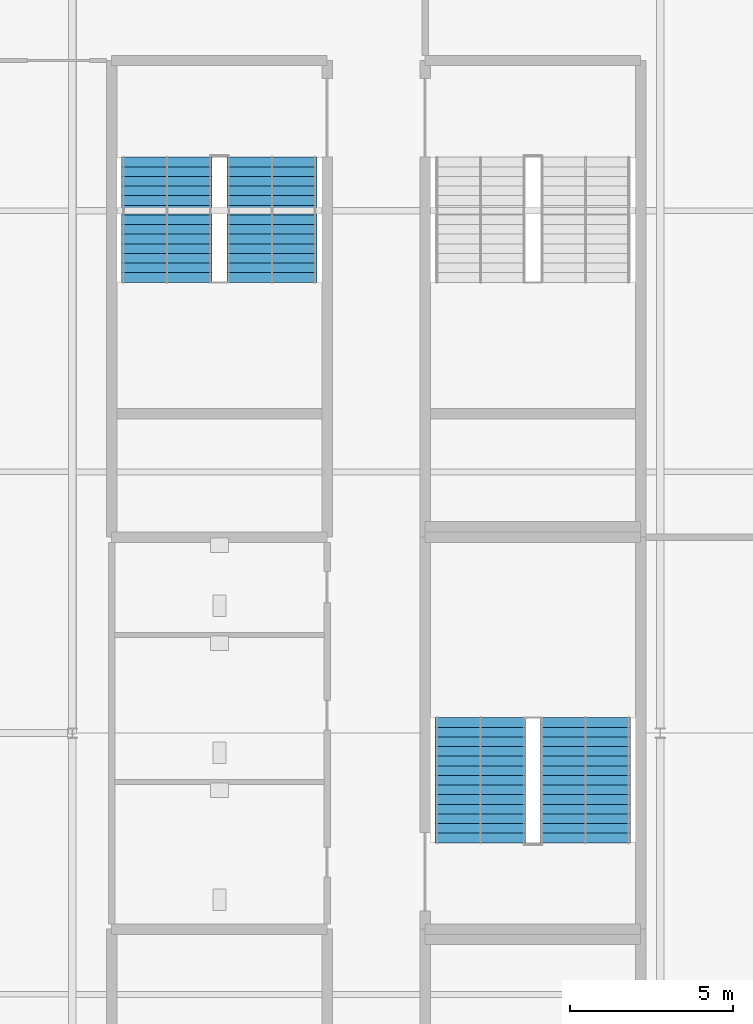
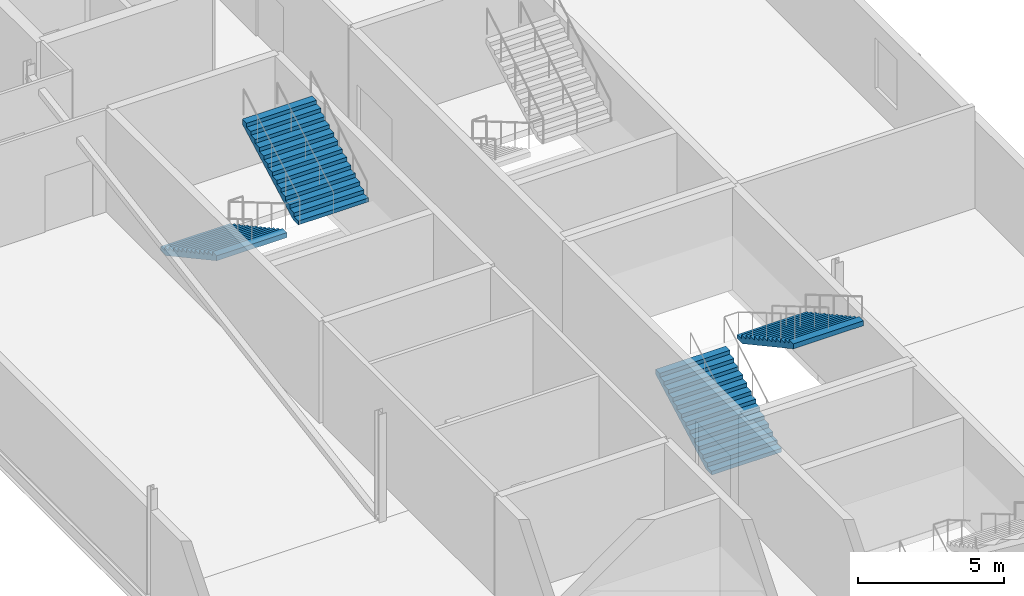
# One storey, part 19 of 28: 4 stair flights, 2 elements without a shape of their own.
"""IFC4 building model written with IfcOpenShell, lengths in metres."""

from ifc_helpers import new_model, si_unit, direction, frame, origin, place, context, subcontext, project, spatial, polygons, material, type_object, element, aggregate, save


model = new_model("IFC4")

# Units and contexts
model_context = context("Model", 3, precision=1e-05, world=origin(), true_north=direction((0.0, 1.0)))
body_context = subcontext(model_context, "Body", "Model", "MODEL_VIEW")
ifc_project = project(units=[si_unit("LENGTHUNIT", "METRE"), si_unit("AREAUNIT", "SQUARE_METRE"), si_unit("VOLUMEUNIT", "CUBIC_METRE"), si_unit("PLANEANGLEUNIT", "RADIAN"), si_unit("MASSUNIT", "GRAM", prefix="KILO")], contexts=[model_context])

# Site, building, storey
site_placement = place(None, origin())
site = spatial("IfcSite", under=ifc_project, at=site_placement, CompositionType="ELEMENT")
building_placement = place(site_placement, origin())
building = spatial("IfcBuilding", under=site, at=building_placement, Name="Kisiwana Market Hall", CompositionType="ELEMENT")
storey_placement = place(building_placement, frame((0.0, 0.0, 49.5)))
storey = spatial("IfcBuildingStorey", under=building, at=storey_placement, Name="L11", CompositionType="ELEMENT", Elevation=49.5)

# Stair, stair flights
ifc_material_1 = material(Name="Concrete C32/40", Category="concrete")
stair_type = type_object("IfcStairType", Name="ST-ESC-4500", PredefinedType="TWO_STRAIGHT_RUN_STAIR", material=ifc_material_1)
stair_1_placement = place(storey_placement, origin())
stair_1 = element("IfcStair", 1, at=stair_1_placement, inside=storey, type_object=stair_type, Name="Escape stair ST-W4-L11", PredefinedType="TWO_STRAIGHT_RUN_STAIR")
ifc_material_2 = material(Name="Concrete C32/40", Category="concrete")
stair_flight_type = type_object("IfcStairFlightType", Name="SF-ESC-4500", PredefinedType="STRAIGHT", material=ifc_material_2)
stair_flight_1_placement = place(storey_placement, frame((11.889892578125, 77.639892578125, 0.0), z_axis=(0.0, 0.0, 1.0), x_axis=(0.0, -1.0, 0.0)))
stair_flight_1 = element("IfcStairFlight", 2, at=stair_flight_1_placement, type_object=stair_flight_type, Name="ST-W4-L11 flight 1", NumberOfRisers=14, NumberOfTreads=13, PredefinedType="STRAIGHT", RiserHeight=0.160714, TreadLength=0.295, context=body_context, shape_type="Tessellation", body=[
    polygons([(0.0, -1.380127, 0.0), (0.0, -0.690125, 0.0), (0.0, -0.000122, 0.0), (0.0, 0.68988, 0.0), (0.0, 1.379883, 0.0), (0.0, -1.380127, 0.160645), (0.0, -0.690125, 0.160645), (0.0, -0.000122, 0.160645), (0.0, 0.68988, 0.160645), (0.0, 1.379883, 0.160645), (0.294922, -1.380127, 0.160645), (0.294922, -0.690125, 0.160645), (0.294922, -0.000122, 0.160645), (0.294922, 0.68988, 0.160645), (0.294922, 1.379883, 0.160645), (0.294922, -1.380127, 0.321533), (0.294922, -0.690125, 0.321533), (0.294922, -0.000122, 0.321533), (0.294922, 0.68988, 0.321533), (0.294922, 1.379883, 0.321533), (0.590088, -1.380127, 0.321533), (0.590088, -0.690125, 0.321533), (0.590088, -0.000122, 0.321533), (0.590088, 0.68988, 0.321533), (0.590088, 1.379883, 0.321533), (0.590088, -1.380127, 0.482178), (0.590088, -0.690125, 0.482178), (0.590088, -0.000122, 0.482178), (0.590088, 0.68988, 0.482178), (0.590088, 1.379883, 0.482178), (0.88501, -1.380127, 0.482178), (0.88501, -0.690125, 0.482178), (0.88501, -0.000122, 0.482178), (0.88501, 0.68988, 0.482178), (0.88501, 1.379883, 0.482178), (0.88501, -1.380127, 0.642822), (0.88501, -0.690125, 0.642822), (0.88501, -0.000122, 0.642822), (0.88501, 0.68988, 0.642822), (0.88501, 1.379883, 0.642822), (1.179932, -1.380127, 0.642822), (1.179932, -0.690125, 0.642822), (1.179932, -0.000122, 0.642822), (1.179932, 0.68988, 0.642822), (1.179932, 1.379883, 0.642822), (1.179932, -1.380127, 0.803467), (1.179932, -0.690125, 0.803467), (1.179932, -0.000122, 0.803467), (1.179932, 0.68988, 0.803467), (1.179932, 1.379883, 0.803467), (1.475098, -1.380127, 0.803467), (1.475098, -0.690125, 0.803467), (1.475098, -0.000122, 0.803467), (1.475098, 0.68988, 0.803467), (1.475098, 1.379883, 0.803467), (1.475098, -1.380127, 0.964355), (1.475098, -0.690125, 0.964355), (1.475098, -0.000122, 0.964355), (1.475098, 0.68988, 0.964355), (1.475098, 1.379883, 0.964355), (1.77002, -1.380127, 0.964355), (1.77002, -0.690125, 0.964355), (1.77002, -0.000122, 0.964355), (1.77002, 0.68988, 0.964355), (1.77002, 1.379883, 0.964355), (1.77002, -1.380127, 1.125), (1.77002, -0.690125, 1.125), (1.77002, -0.000122, 1.125), (1.77002, 0.68988, 1.125), (1.77002, 1.379883, 1.125), (2.064941, -1.380127, 1.125), (2.064941, -0.690125, 1.125), (2.064941, -0.000122, 1.125), (2.064941, 0.68988, 1.125), (2.064941, 1.379883, 1.125), (2.064941, -1.380127, 1.285645), (2.064941, -0.690125, 1.285645), (2.064941, -0.000122, 1.285645), (2.064941, 0.68988, 1.285645), (2.064941, 1.379883, 1.285645), (2.360107, -1.380127, 1.285645), (2.360107, -0.690125, 1.285645), (2.360107, -0.000122, 1.285645), (2.360107, 0.68988, 1.285645), (2.360107, 1.379883, 1.285645), (2.360107, -1.380127, 1.446533), (2.360107, -0.690125, 1.446533), (2.360107, -0.000122, 1.446533), (2.360107, 0.68988, 1.446533), (2.360107, 1.379883, 1.446533), (2.655029, -1.380127, 1.446533), (2.655029, -0.690125, 1.446533), (2.655029, -0.000122, 1.446533), (2.655029, 0.68988, 1.446533), (2.655029, 1.379883, 1.446533), (2.655029, -1.380127, 1.607178), (2.655029, -0.690125, 1.607178), (2.655029, -0.000122, 1.607178), (2.655029, 0.68988, 1.607178), (2.655029, 1.379883, 1.607178), (2.949951, -1.380127, 1.607178), (2.949951, -0.690125, 1.607178), (2.949951, -0.000122, 1.607178), (2.949951, 0.68988, 1.607178), (2.949951, 1.379883, 1.607178), (2.949951, -1.380127, 1.767822), (2.949951, -0.690125, 1.767822), (2.949951, -0.000122, 1.767822), (2.949951, 0.68988, 1.767822), (2.949951, 1.379883, 1.767822), (3.245117, -1.380127, 1.767822), (3.245117, -0.690125, 1.767822), (3.245117, -0.000122, 1.767822), (3.245117, 0.68988, 1.767822), (3.245117, 1.379883, 1.767822), (3.245117, -1.380127, 1.928467), (3.245117, -0.690125, 1.928467), (3.245117, -0.000122, 1.928467), (3.245117, 0.68988, 1.928467), (3.245117, 1.379883, 1.928467), (3.540039, -1.380127, 1.928467), (3.540039, -0.690125, 1.928467), (3.540039, -0.000122, 1.928467), (3.540039, 0.68988, 1.928467), (3.540039, 1.379883, 1.928467), (3.540039, -1.380127, 2.089355), (3.540039, -0.690125, 2.089355), (3.540039, -0.000122, 2.089355), (3.540039, 0.68988, 2.089355), (3.540039, 1.379883, 2.089355), (3.834961, -1.380127, 2.089355), (3.834961, -0.690125, 2.089355), (3.834961, -0.000122, 2.089355), (3.834961, 0.68988, 2.089355), (3.834961, 1.379883, 2.089355), (3.834961, -1.380127, 1.884277), (3.834961, -0.690125, 1.884277), (3.834961, -0.000122, 1.884277), (3.834961, 0.68988, 1.884277), (3.834961, 1.379883, 1.884277), (0.376221, -1.380127, 0.0), (0.376221, -0.690125, 0.0), (0.376221, -0.000122, 0.0), (0.376221, 0.68988, 0.0), (0.376221, 1.379883, 0.0)], [[[1, 6, 7, 2]], [[2, 7, 8, 3]], [[3, 8, 9, 4]], [[4, 9, 10, 5]], [[6, 11, 12, 7]], [[7, 12, 13, 8]], [[8, 13, 14, 9]], [[9, 14, 15, 10]], [[11, 16, 17, 12]], [[12, 17, 18, 13]], [[13, 18, 19, 14]], [[14, 19, 20, 15]], [[16, 21, 22, 17]], [[17, 22, 23, 18]], [[18, 23, 24, 19]], [[19, 24, 25, 20]], [[21, 26, 27, 22]], [[22, 27, 28, 23]], [[23, 28, 29, 24]], [[24, 29, 30, 25]], [[26, 31, 32, 27]], [[27, 32, 33, 28]], [[28, 33, 34, 29]], [[29, 34, 35, 30]], [[31, 36, 37, 32]], [[32, 37, 38, 33]], [[33, 38, 39, 34]], [[34, 39, 40, 35]], [[36, 41, 42, 37]], [[37, 42, 43, 38]], [[38, 43, 44, 39]], [[39, 44, 45, 40]], [[41, 46, 47, 42]], [[42, 47, 48, 43]], [[43, 48, 49, 44]], [[44, 49, 50, 45]], [[46, 51, 52, 47]], [[47, 52, 53, 48]], [[48, 53, 54, 49]], [[49, 54, 55, 50]], [[51, 56, 57, 52]], [[52, 57, 58, 53]], [[53, 58, 59, 54]], [[54, 59, 60, 55]], [[56, 61, 62, 57]], [[57, 62, 63, 58]], [[58, 63, 64, 59]], [[59, 64, 65, 60]], [[61, 66, 67, 62]], [[62, 67, 68, 63]], [[63, 68, 69, 64]], [[64, 69, 70, 65]], [[66, 71, 72, 67]], [[67, 72, 73, 68]], [[68, 73, 74, 69]], [[69, 74, 75, 70]], [[71, 76, 77, 72]], [[72, 77, 78, 73]], [[73, 78, 79, 74]], [[74, 79, 80, 75]], [[76, 81, 82, 77]], [[77, 82, 83, 78]], [[78, 83, 84, 79]], [[79, 84, 85, 80]], [[81, 86, 87, 82]], [[82, 87, 88, 83]], [[83, 88, 89, 84]], [[84, 89, 90, 85]], [[86, 91, 92, 87]], [[87, 92, 93, 88]], [[88, 93, 94, 89]], [[89, 94, 95, 90]], [[91, 96, 97, 92]], [[92, 97, 98, 93]], [[93, 98, 99, 94]], [[94, 99, 100, 95]], [[96, 101, 102, 97]], [[97, 102, 103, 98]], [[98, 103, 104, 99]], [[99, 104, 105, 100]], [[101, 106, 107, 102]], [[102, 107, 108, 103]], [[103, 108, 109, 104]], [[104, 109, 110, 105]], [[106, 111, 112, 107]], [[107, 112, 113, 108]], [[108, 113, 114, 109]], [[109, 114, 115, 110]], [[111, 116, 117, 112]], [[112, 117, 118, 113]], [[113, 118, 119, 114]], [[114, 119, 120, 115]], [[116, 121, 122, 117]], [[117, 122, 123, 118]], [[118, 123, 124, 119]], [[119, 124, 125, 120]], [[121, 126, 127, 122]], [[122, 127, 128, 123]], [[123, 128, 129, 124]], [[124, 129, 130, 125]], [[126, 131, 132, 127]], [[127, 132, 133, 128]], [[128, 133, 134, 129]], [[129, 134, 135, 130]], [[131, 136, 137, 132]], [[132, 137, 138, 133]], [[133, 138, 139, 134]], [[134, 139, 140, 135]], [[136, 141, 142, 137]], [[137, 142, 143, 138]], [[138, 143, 144, 139]], [[139, 144, 145, 140]], [[141, 1, 2, 142]], [[142, 2, 3, 143]], [[143, 3, 4, 144]], [[144, 4, 5, 145]], [[141, 136, 131, 126, 121, 116, 111, 106, 101, 96, 91, 86, 81, 76, 71, 66, 61, 56, 51, 46, 41, 36, 31, 26, 21, 16, 11, 6, 1]], [[5, 10, 15, 20, 25, 30, 35, 40, 45, 50, 55, 60, 65, 70, 75, 80, 85, 90, 95, 100, 105, 110, 115, 120, 125, 130, 135, 140, 145]]], closed=True),
])
stair_flight_2_placement = place(storey_placement, frame((15.110107421875, 73.804931640625, 2.25), z_axis=(0.0, 0.0, 1.0), x_axis=(0.0, 1.0, 0.0)))
stair_flight_2 = element("IfcStairFlight", 3, at=stair_flight_2_placement, type_object=stair_flight_type, Name="ST-W4-L11 flight 2", NumberOfRisers=14, NumberOfTreads=13, PredefinedType="STRAIGHT", RiserHeight=0.160714, TreadLength=0.295, context=body_context, shape_type="Tessellation", body=[
    polygons([(0.0, -1.380127, 0.0), (0.0, -0.690125, 0.0), (0.0, -0.000122, 0.0), (0.0, 0.68988, 0.0), (0.0, 1.379883, 0.0), (0.0, -1.380127, 0.160645), (0.0, -0.690125, 0.160645), (0.0, -0.000122, 0.160645), (0.0, 0.68988, 0.160645), (0.0, 1.379883, 0.160645), (0.294922, -1.380127, 0.160645), (0.294922, -0.690125, 0.160645), (0.294922, -0.000122, 0.160645), (0.294922, 0.68988, 0.160645), (0.294922, 1.379883, 0.160645), (0.294922, -1.380127, 0.321533), (0.294922, -0.690125, 0.321533), (0.294922, -0.000122, 0.321533), (0.294922, 0.68988, 0.321533), (0.294922, 1.379883, 0.321533), (0.590088, -1.380127, 0.321533), (0.590088, -0.690125, 0.321533), (0.590088, -0.000122, 0.321533), (0.590088, 0.68988, 0.321533), (0.590088, 1.379883, 0.321533), (0.590088, -1.380127, 0.482178), (0.590088, -0.690125, 0.482178), (0.590088, -0.000122, 0.482178), (0.590088, 0.68988, 0.482178), (0.590088, 1.379883, 0.482178), (0.88501, -1.380127, 0.482178), (0.88501, -0.690125, 0.482178), (0.88501, -0.000122, 0.482178), (0.88501, 0.68988, 0.482178), (0.88501, 1.379883, 0.482178), (0.88501, -1.380127, 0.642822), (0.88501, -0.690125, 0.642822), (0.88501, -0.000122, 0.642822), (0.88501, 0.68988, 0.642822), (0.88501, 1.379883, 0.642822), (1.179932, -1.380127, 0.642822), (1.179932, -0.690125, 0.642822), (1.179932, -0.000122, 0.642822), (1.179932, 0.68988, 0.642822), (1.179932, 1.379883, 0.642822), (1.179932, -1.380127, 0.803467), (1.179932, -0.690125, 0.803467), (1.179932, -0.000122, 0.803467), (1.179932, 0.68988, 0.803467), (1.179932, 1.379883, 0.803467), (1.475098, -1.380127, 0.803467), (1.475098, -0.690125, 0.803467), (1.475098, -0.000122, 0.803467), (1.475098, 0.68988, 0.803467), (1.475098, 1.379883, 0.803467), (1.475098, -1.380127, 0.964355), (1.475098, -0.690125, 0.964355), (1.475098, -0.000122, 0.964355), (1.475098, 0.68988, 0.964355), (1.475098, 1.379883, 0.964355), (1.77002, -1.380127, 0.964355), (1.77002, -0.690125, 0.964355), (1.77002, -0.000122, 0.964355), (1.77002, 0.68988, 0.964355), (1.77002, 1.379883, 0.964355), (1.77002, -1.380127, 1.125), (1.77002, -0.690125, 1.125), (1.77002, -0.000122, 1.125), (1.77002, 0.68988, 1.125), (1.77002, 1.379883, 1.125), (2.064941, -1.380127, 1.125), (2.064941, -0.690125, 1.125), (2.064941, -0.000122, 1.125), (2.064941, 0.68988, 1.125), (2.064941, 1.379883, 1.125), (2.064941, -1.380127, 1.285645), (2.064941, -0.690125, 1.285645), (2.064941, -0.000122, 1.285645), (2.064941, 0.68988, 1.285645), (2.064941, 1.379883, 1.285645), (2.360107, -1.380127, 1.285645), (2.360107, -0.690125, 1.285645), (2.360107, -0.000122, 1.285645), (2.360107, 0.68988, 1.285645), (2.360107, 1.379883, 1.285645), (2.360107, -1.380127, 1.446533), (2.360107, -0.690125, 1.446533), (2.360107, -0.000122, 1.446533), (2.360107, 0.68988, 1.446533), (2.360107, 1.379883, 1.446533), (2.655029, -1.380127, 1.446533), (2.655029, -0.690125, 1.446533), (2.655029, -0.000122, 1.446533), (2.655029, 0.68988, 1.446533), (2.655029, 1.379883, 1.446533), (2.655029, -1.380127, 1.607178), (2.655029, -0.690125, 1.607178), (2.655029, -0.000122, 1.607178), (2.655029, 0.68988, 1.607178), (2.655029, 1.379883, 1.607178), (2.949951, -1.380127, 1.607178), (2.949951, -0.690125, 1.607178), (2.949951, -0.000122, 1.607178), (2.949951, 0.68988, 1.607178), (2.949951, 1.379883, 1.607178), (2.949951, -1.380127, 1.767822), (2.949951, -0.690125, 1.767822), (2.949951, -0.000122, 1.767822), (2.949951, 0.68988, 1.767822), (2.949951, 1.379883, 1.767822), (3.245117, -1.380127, 1.767822), (3.245117, -0.690125, 1.767822), (3.245117, -0.000122, 1.767822), (3.245117, 0.68988, 1.767822), (3.245117, 1.379883, 1.767822), (3.245117, -1.380127, 1.928467), (3.245117, -0.690125, 1.928467), (3.245117, -0.000122, 1.928467), (3.245117, 0.68988, 1.928467), (3.245117, 1.379883, 1.928467), (3.540039, -1.380127, 1.928467), (3.540039, -0.690125, 1.928467), (3.540039, -0.000122, 1.928467), (3.540039, 0.68988, 1.928467), (3.540039, 1.379883, 1.928467), (3.540039, -1.380127, 2.089355), (3.540039, -0.690125, 2.089355), (3.540039, -0.000122, 2.089355), (3.540039, 0.68988, 2.089355), (3.540039, 1.379883, 2.089355), (3.834961, -1.380127, 2.089355), (3.834961, -0.690125, 2.089355), (3.834961, -0.000122, 2.089355), (3.834961, 0.68988, 2.089355), (3.834961, 1.379883, 2.089355), (3.834961, -1.380127, 1.884277), (3.834961, -0.690125, 1.884277), (3.834961, -0.000122, 1.884277), (3.834961, 0.68988, 1.884277), (3.834961, 1.379883, 1.884277), (0.376221, -1.380127, 0.0), (0.376221, -0.690125, 0.0), (0.376221, -0.000122, 0.0), (0.376221, 0.68988, 0.0), (0.376221, 1.379883, 0.0)], [[[1, 6, 7, 2]], [[2, 7, 8, 3]], [[3, 8, 9, 4]], [[4, 9, 10, 5]], [[6, 11, 12, 7]], [[7, 12, 13, 8]], [[8, 13, 14, 9]], [[9, 14, 15, 10]], [[11, 16, 17, 12]], [[12, 17, 18, 13]], [[13, 18, 19, 14]], [[14, 19, 20, 15]], [[16, 21, 22, 17]], [[17, 22, 23, 18]], [[18, 23, 24, 19]], [[19, 24, 25, 20]], [[21, 26, 27, 22]], [[22, 27, 28, 23]], [[23, 28, 29, 24]], [[24, 29, 30, 25]], [[26, 31, 32, 27]], [[27, 32, 33, 28]], [[28, 33, 34, 29]], [[29, 34, 35, 30]], [[31, 36, 37, 32]], [[32, 37, 38, 33]], [[33, 38, 39, 34]], [[34, 39, 40, 35]], [[36, 41, 42, 37]], [[37, 42, 43, 38]], [[38, 43, 44, 39]], [[39, 44, 45, 40]], [[41, 46, 47, 42]], [[42, 47, 48, 43]], [[43, 48, 49, 44]], [[44, 49, 50, 45]], [[46, 51, 52, 47]], [[47, 52, 53, 48]], [[48, 53, 54, 49]], [[49, 54, 55, 50]], [[51, 56, 57, 52]], [[52, 57, 58, 53]], [[53, 58, 59, 54]], [[54, 59, 60, 55]], [[56, 61, 62, 57]], [[57, 62, 63, 58]], [[58, 63, 64, 59]], [[59, 64, 65, 60]], [[61, 66, 67, 62]], [[62, 67, 68, 63]], [[63, 68, 69, 64]], [[64, 69, 70, 65]], [[66, 71, 72, 67]], [[67, 72, 73, 68]], [[68, 73, 74, 69]], [[69, 74, 75, 70]], [[71, 76, 77, 72]], [[72, 77, 78, 73]], [[73, 78, 79, 74]], [[74, 79, 80, 75]], [[76, 81, 82, 77]], [[77, 82, 83, 78]], [[78, 83, 84, 79]], [[79, 84, 85, 80]], [[81, 86, 87, 82]], [[82, 87, 88, 83]], [[83, 88, 89, 84]], [[84, 89, 90, 85]], [[86, 91, 92, 87]], [[87, 92, 93, 88]], [[88, 93, 94, 89]], [[89, 94, 95, 90]], [[91, 96, 97, 92]], [[92, 97, 98, 93]], [[93, 98, 99, 94]], [[94, 99, 100, 95]], [[96, 101, 102, 97]], [[97, 102, 103, 98]], [[98, 103, 104, 99]], [[99, 104, 105, 100]], [[101, 106, 107, 102]], [[102, 107, 108, 103]], [[103, 108, 109, 104]], [[104, 109, 110, 105]], [[106, 111, 112, 107]], [[107, 112, 113, 108]], [[108, 113, 114, 109]], [[109, 114, 115, 110]], [[111, 116, 117, 112]], [[112, 117, 118, 113]], [[113, 118, 119, 114]], [[114, 119, 120, 115]], [[116, 121, 122, 117]], [[117, 122, 123, 118]], [[118, 123, 124, 119]], [[119, 124, 125, 120]], [[121, 126, 127, 122]], [[122, 127, 128, 123]], [[123, 128, 129, 124]], [[124, 129, 130, 125]], [[126, 131, 132, 127]], [[127, 132, 133, 128]], [[128, 133, 134, 129]], [[129, 134, 135, 130]], [[131, 136, 137, 132]], [[132, 137, 138, 133]], [[133, 138, 139, 134]], [[134, 139, 140, 135]], [[136, 141, 142, 137]], [[137, 142, 143, 138]], [[138, 143, 144, 139]], [[139, 144, 145, 140]], [[141, 1, 2, 142]], [[142, 2, 3, 143]], [[143, 3, 4, 144]], [[144, 4, 5, 145]], [[141, 136, 131, 126, 121, 116, 111, 106, 101, 96, 91, 86, 81, 76, 71, 66, 61, 56, 51, 46, 41, 36, 31, 26, 21, 16, 11, 6, 1]], [[5, 10, 15, 20, 25, 30, 35, 40, 45, 50, 55, 60, 65, 70, 75, 80, 85, 90, 95, 100, 105, 110, 115, 120, 125, 130, 135, 140, 145]]], closed=True),
])
aggregate(stair_1, [stair_flight_1, stair_flight_2])

stair_2_placement = place(storey_placement, origin())
stair_2 = element("IfcStair", 4, at=stair_2_placement, inside=storey, type_object=stair_type, Name="Escape stair ST-W5-L11", PredefinedType="TWO_STRAIGHT_RUN_STAIR")
stair_flight_3_placement = place(storey_placement, frame((21.489990234375, 56.639892578125, 0.0), z_axis=(0.0, 0.0, 1.0), x_axis=(0.0, 1.0, 0.0)))
stair_flight_3 = element("IfcStairFlight", 5, at=stair_flight_3_placement, type_object=stair_flight_type, Name="ST-W5-L11 flight 1", NumberOfRisers=14, NumberOfTreads=13, PredefinedType="STRAIGHT", RiserHeight=0.160714, TreadLength=0.295, context=body_context, shape_type="Tessellation", body=[
    polygons([(0.0, -1.380127, 0.0), (0.0, -0.690125, 0.0), (0.0, -0.000122, 0.0), (0.0, 0.68988, 0.0), (0.0, 1.379883, 0.0), (0.0, -1.380127, 0.160645), (0.0, -0.690125, 0.160645), (0.0, -0.000122, 0.160645), (0.0, 0.68988, 0.160645), (0.0, 1.379883, 0.160645), (0.294922, -1.380127, 0.160645), (0.294922, -0.690125, 0.160645), (0.294922, -0.000122, 0.160645), (0.294922, 0.68988, 0.160645), (0.294922, 1.379883, 0.160645), (0.294922, -1.380127, 0.321533), (0.294922, -0.690125, 0.321533), (0.294922, -0.000122, 0.321533), (0.294922, 0.68988, 0.321533), (0.294922, 1.379883, 0.321533), (0.590088, -1.380127, 0.321533), (0.590088, -0.690125, 0.321533), (0.590088, -0.000122, 0.321533), (0.590088, 0.68988, 0.321533), (0.590088, 1.379883, 0.321533), (0.590088, -1.380127, 0.482178), (0.590088, -0.690125, 0.482178), (0.590088, -0.000122, 0.482178), (0.590088, 0.68988, 0.482178), (0.590088, 1.379883, 0.482178), (0.88501, -1.380127, 0.482178), (0.88501, -0.690125, 0.482178), (0.88501, -0.000122, 0.482178), (0.88501, 0.68988, 0.482178), (0.88501, 1.379883, 0.482178), (0.88501, -1.380127, 0.642822), (0.88501, -0.690125, 0.642822), (0.88501, -0.000122, 0.642822), (0.88501, 0.68988, 0.642822), (0.88501, 1.379883, 0.642822), (1.179932, -1.380127, 0.642822), (1.179932, -0.690125, 0.642822), (1.179932, -0.000122, 0.642822), (1.179932, 0.68988, 0.642822), (1.179932, 1.379883, 0.642822), (1.179932, -1.380127, 0.803467), (1.179932, -0.690125, 0.803467), (1.179932, -0.000122, 0.803467), (1.179932, 0.68988, 0.803467), (1.179932, 1.379883, 0.803467), (1.475098, -1.380127, 0.803467), (1.475098, -0.690125, 0.803467), (1.475098, -0.000122, 0.803467), (1.475098, 0.68988, 0.803467), (1.475098, 1.379883, 0.803467), (1.475098, -1.380127, 0.964355), (1.475098, -0.690125, 0.964355), (1.475098, -0.000122, 0.964355), (1.475098, 0.68988, 0.964355), (1.475098, 1.379883, 0.964355), (1.77002, -1.380127, 0.964355), (1.77002, -0.690125, 0.964355), (1.77002, -0.000122, 0.964355), (1.77002, 0.68988, 0.964355), (1.77002, 1.379883, 0.964355), (1.77002, -1.380127, 1.125), (1.77002, -0.690125, 1.125), (1.77002, -0.000122, 1.125), (1.77002, 0.68988, 1.125), (1.77002, 1.379883, 1.125), (2.064941, -1.380127, 1.125), (2.064941, -0.690125, 1.125), (2.064941, -0.000122, 1.125), (2.064941, 0.68988, 1.125), (2.064941, 1.379883, 1.125), (2.064941, -1.380127, 1.285645), (2.064941, -0.690125, 1.285645), (2.064941, -0.000122, 1.285645), (2.064941, 0.68988, 1.285645), (2.064941, 1.379883, 1.285645), (2.360107, -1.380127, 1.285645), (2.360107, -0.690125, 1.285645), (2.360107, -0.000122, 1.285645), (2.360107, 0.68988, 1.285645), (2.360107, 1.379883, 1.285645), (2.360107, -1.380127, 1.446533), (2.360107, -0.690125, 1.446533), (2.360107, -0.000122, 1.446533), (2.360107, 0.68988, 1.446533), (2.360107, 1.379883, 1.446533), (2.655029, -1.380127, 1.446533), (2.655029, -0.690125, 1.446533), (2.655029, -0.000122, 1.446533), (2.655029, 0.68988, 1.446533), (2.655029, 1.379883, 1.446533), (2.655029, -1.380127, 1.607178), (2.655029, -0.690125, 1.607178), (2.655029, -0.000122, 1.607178), (2.655029, 0.68988, 1.607178), (2.655029, 1.379883, 1.607178), (2.949951, -1.380127, 1.607178), (2.949951, -0.690125, 1.607178), (2.949951, -0.000122, 1.607178), (2.949951, 0.68988, 1.607178), (2.949951, 1.379883, 1.607178), (2.949951, -1.380127, 1.767822), (2.949951, -0.690125, 1.767822), (2.949951, -0.000122, 1.767822), (2.949951, 0.68988, 1.767822), (2.949951, 1.379883, 1.767822), (3.245117, -1.380127, 1.767822), (3.245117, -0.690125, 1.767822), (3.245117, -0.000122, 1.767822), (3.245117, 0.68988, 1.767822), (3.245117, 1.379883, 1.767822), (3.245117, -1.380127, 1.928467), (3.245117, -0.690125, 1.928467), (3.245117, -0.000122, 1.928467), (3.245117, 0.68988, 1.928467), (3.245117, 1.379883, 1.928467), (3.540039, -1.380127, 1.928467), (3.540039, -0.690125, 1.928467), (3.540039, -0.000122, 1.928467), (3.540039, 0.68988, 1.928467), (3.540039, 1.379883, 1.928467), (3.540039, -1.380127, 2.089355), (3.540039, -0.690125, 2.089355), (3.540039, -0.000122, 2.089355), (3.540039, 0.68988, 2.089355), (3.540039, 1.379883, 2.089355), (3.834961, -1.380127, 2.089355), (3.834961, -0.690125, 2.089355), (3.834961, -0.000122, 2.089355), (3.834961, 0.68988, 2.089355), (3.834961, 1.379883, 2.089355), (3.834961, -1.380127, 1.884277), (3.834961, -0.690125, 1.884277), (3.834961, -0.000122, 1.884277), (3.834961, 0.68988, 1.884277), (3.834961, 1.379883, 1.884277), (0.376221, -1.380127, 0.0), (0.376221, -0.690125, 0.0), (0.376221, -0.000122, 0.0), (0.376221, 0.68988, 0.0), (0.376221, 1.379883, 0.0)], [[[1, 6, 7, 2]], [[2, 7, 8, 3]], [[3, 8, 9, 4]], [[4, 9, 10, 5]], [[6, 11, 12, 7]], [[7, 12, 13, 8]], [[8, 13, 14, 9]], [[9, 14, 15, 10]], [[11, 16, 17, 12]], [[12, 17, 18, 13]], [[13, 18, 19, 14]], [[14, 19, 20, 15]], [[16, 21, 22, 17]], [[17, 22, 23, 18]], [[18, 23, 24, 19]], [[19, 24, 25, 20]], [[21, 26, 27, 22]], [[22, 27, 28, 23]], [[23, 28, 29, 24]], [[24, 29, 30, 25]], [[26, 31, 32, 27]], [[27, 32, 33, 28]], [[28, 33, 34, 29]], [[29, 34, 35, 30]], [[31, 36, 37, 32]], [[32, 37, 38, 33]], [[33, 38, 39, 34]], [[34, 39, 40, 35]], [[36, 41, 42, 37]], [[37, 42, 43, 38]], [[38, 43, 44, 39]], [[39, 44, 45, 40]], [[41, 46, 47, 42]], [[42, 47, 48, 43]], [[43, 48, 49, 44]], [[44, 49, 50, 45]], [[46, 51, 52, 47]], [[47, 52, 53, 48]], [[48, 53, 54, 49]], [[49, 54, 55, 50]], [[51, 56, 57, 52]], [[52, 57, 58, 53]], [[53, 58, 59, 54]], [[54, 59, 60, 55]], [[56, 61, 62, 57]], [[57, 62, 63, 58]], [[58, 63, 64, 59]], [[59, 64, 65, 60]], [[61, 66, 67, 62]], [[62, 67, 68, 63]], [[63, 68, 69, 64]], [[64, 69, 70, 65]], [[66, 71, 72, 67]], [[67, 72, 73, 68]], [[68, 73, 74, 69]], [[69, 74, 75, 70]], [[71, 76, 77, 72]], [[72, 77, 78, 73]], [[73, 78, 79, 74]], [[74, 79, 80, 75]], [[76, 81, 82, 77]], [[77, 82, 83, 78]], [[78, 83, 84, 79]], [[79, 84, 85, 80]], [[81, 86, 87, 82]], [[82, 87, 88, 83]], [[83, 88, 89, 84]], [[84, 89, 90, 85]], [[86, 91, 92, 87]], [[87, 92, 93, 88]], [[88, 93, 94, 89]], [[89, 94, 95, 90]], [[91, 96, 97, 92]], [[92, 97, 98, 93]], [[93, 98, 99, 94]], [[94, 99, 100, 95]], [[96, 101, 102, 97]], [[97, 102, 103, 98]], [[98, 103, 104, 99]], [[99, 104, 105, 100]], [[101, 106, 107, 102]], [[102, 107, 108, 103]], [[103, 108, 109, 104]], [[104, 109, 110, 105]], [[106, 111, 112, 107]], [[107, 112, 113, 108]], [[108, 113, 114, 109]], [[109, 114, 115, 110]], [[111, 116, 117, 112]], [[112, 117, 118, 113]], [[113, 118, 119, 114]], [[114, 119, 120, 115]], [[116, 121, 122, 117]], [[117, 122, 123, 118]], [[118, 123, 124, 119]], [[119, 124, 125, 120]], [[121, 126, 127, 122]], [[122, 127, 128, 123]], [[123, 128, 129, 124]], [[124, 129, 130, 125]], [[126, 131, 132, 127]], [[127, 132, 133, 128]], [[128, 133, 134, 129]], [[129, 134, 135, 130]], [[131, 136, 137, 132]], [[132, 137, 138, 133]], [[133, 138, 139, 134]], [[134, 139, 140, 135]], [[136, 141, 142, 137]], [[137, 142, 143, 138]], [[138, 143, 144, 139]], [[139, 144, 145, 140]], [[141, 1, 2, 142]], [[142, 2, 3, 143]], [[143, 3, 4, 144]], [[144, 4, 5, 145]], [[141, 136, 131, 126, 121, 116, 111, 106, 101, 96, 91, 86, 81, 76, 71, 66, 61, 56, 51, 46, 41, 36, 31, 26, 21, 16, 11, 6, 1]], [[5, 10, 15, 20, 25, 30, 35, 40, 45, 50, 55, 60, 65, 70, 75, 80, 85, 90, 95, 100, 105, 110, 115, 120, 125, 130, 135, 140, 145]]], closed=True),
])
stair_flight_4_placement = place(storey_placement, frame((24.7099609375, 60.47509765625, 2.25), z_axis=(0.0, 0.0, 1.0), x_axis=(0.0, -1.0, 0.0)))
stair_flight_4 = element("IfcStairFlight", 6, at=stair_flight_4_placement, type_object=stair_flight_type, Name="ST-W5-L11 flight 2", NumberOfRisers=14, NumberOfTreads=13, PredefinedType="STRAIGHT", RiserHeight=0.160714, TreadLength=0.295, context=body_context, shape_type="Tessellation", body=[
    polygons([(0.0, -1.380127, 0.0), (0.0, -0.690125, 0.0), (0.0, -0.000122, 0.0), (0.0, 0.68988, 0.0), (0.0, 1.379883, 0.0), (0.0, -1.380127, 0.160645), (0.0, -0.690125, 0.160645), (0.0, -0.000122, 0.160645), (0.0, 0.68988, 0.160645), (0.0, 1.379883, 0.160645), (0.294922, -1.380127, 0.160645), (0.294922, -0.690125, 0.160645), (0.294922, -0.000122, 0.160645), (0.294922, 0.68988, 0.160645), (0.294922, 1.379883, 0.160645), (0.294922, -1.380127, 0.321533), (0.294922, -0.690125, 0.321533), (0.294922, -0.000122, 0.321533), (0.294922, 0.68988, 0.321533), (0.294922, 1.379883, 0.321533), (0.590088, -1.380127, 0.321533), (0.590088, -0.690125, 0.321533), (0.590088, -0.000122, 0.321533), (0.590088, 0.68988, 0.321533), (0.590088, 1.379883, 0.321533), (0.590088, -1.380127, 0.482178), (0.590088, -0.690125, 0.482178), (0.590088, -0.000122, 0.482178), (0.590088, 0.68988, 0.482178), (0.590088, 1.379883, 0.482178), (0.88501, -1.380127, 0.482178), (0.88501, -0.690125, 0.482178), (0.88501, -0.000122, 0.482178), (0.88501, 0.68988, 0.482178), (0.88501, 1.379883, 0.482178), (0.88501, -1.380127, 0.642822), (0.88501, -0.690125, 0.642822), (0.88501, -0.000122, 0.642822), (0.88501, 0.68988, 0.642822), (0.88501, 1.379883, 0.642822), (1.179932, -1.380127, 0.642822), (1.179932, -0.690125, 0.642822), (1.179932, -0.000122, 0.642822), (1.179932, 0.68988, 0.642822), (1.179932, 1.379883, 0.642822), (1.179932, -1.380127, 0.803467), (1.179932, -0.690125, 0.803467), (1.179932, -0.000122, 0.803467), (1.179932, 0.68988, 0.803467), (1.179932, 1.379883, 0.803467), (1.475098, -1.380127, 0.803467), (1.475098, -0.690125, 0.803467), (1.475098, -0.000122, 0.803467), (1.475098, 0.68988, 0.803467), (1.475098, 1.379883, 0.803467), (1.475098, -1.380127, 0.964355), (1.475098, -0.690125, 0.964355), (1.475098, -0.000122, 0.964355), (1.475098, 0.68988, 0.964355), (1.475098, 1.379883, 0.964355), (1.77002, -1.380127, 0.964355), (1.77002, -0.690125, 0.964355), (1.77002, -0.000122, 0.964355), (1.77002, 0.68988, 0.964355), (1.77002, 1.379883, 0.964355), (1.77002, -1.380127, 1.125), (1.77002, -0.690125, 1.125), (1.77002, -0.000122, 1.125), (1.77002, 0.68988, 1.125), (1.77002, 1.379883, 1.125), (2.064941, -1.380127, 1.125), (2.064941, -0.690125, 1.125), (2.064941, -0.000122, 1.125), (2.064941, 0.68988, 1.125), (2.064941, 1.379883, 1.125), (2.064941, -1.380127, 1.285645), (2.064941, -0.690125, 1.285645), (2.064941, -0.000122, 1.285645), (2.064941, 0.68988, 1.285645), (2.064941, 1.379883, 1.285645), (2.360107, -1.380127, 1.285645), (2.360107, -0.690125, 1.285645), (2.360107, -0.000122, 1.285645), (2.360107, 0.68988, 1.285645), (2.360107, 1.379883, 1.285645), (2.360107, -1.380127, 1.446533), (2.360107, -0.690125, 1.446533), (2.360107, -0.000122, 1.446533), (2.360107, 0.68988, 1.446533), (2.360107, 1.379883, 1.446533), (2.655029, -1.380127, 1.446533), (2.655029, -0.690125, 1.446533), (2.655029, -0.000122, 1.446533), (2.655029, 0.68988, 1.446533), (2.655029, 1.379883, 1.446533), (2.655029, -1.380127, 1.607178), (2.655029, -0.690125, 1.607178), (2.655029, -0.000122, 1.607178), (2.655029, 0.68988, 1.607178), (2.655029, 1.379883, 1.607178), (2.949951, -1.380127, 1.607178), (2.949951, -0.690125, 1.607178), (2.949951, -0.000122, 1.607178), (2.949951, 0.68988, 1.607178), (2.949951, 1.379883, 1.607178), (2.949951, -1.380127, 1.767822), (2.949951, -0.690125, 1.767822), (2.949951, -0.000122, 1.767822), (2.949951, 0.68988, 1.767822), (2.949951, 1.379883, 1.767822), (3.245117, -1.380127, 1.767822), (3.245117, -0.690125, 1.767822), (3.245117, -0.000122, 1.767822), (3.245117, 0.68988, 1.767822), (3.245117, 1.379883, 1.767822), (3.245117, -1.380127, 1.928467), (3.245117, -0.690125, 1.928467), (3.245117, -0.000122, 1.928467), (3.245117, 0.68988, 1.928467), (3.245117, 1.379883, 1.928467), (3.540039, -1.380127, 1.928467), (3.540039, -0.690125, 1.928467), (3.540039, -0.000122, 1.928467), (3.540039, 0.68988, 1.928467), (3.540039, 1.379883, 1.928467), (3.540039, -1.380127, 2.089355), (3.540039, -0.690125, 2.089355), (3.540039, -0.000122, 2.089355), (3.540039, 0.68988, 2.089355), (3.540039, 1.379883, 2.089355), (3.834961, -1.380127, 2.089355), (3.834961, -0.690125, 2.089355), (3.834961, -0.000122, 2.089355), (3.834961, 0.68988, 2.089355), (3.834961, 1.379883, 2.089355), (3.834961, -1.380127, 1.884277), (3.834961, -0.690125, 1.884277), (3.834961, -0.000122, 1.884277), (3.834961, 0.68988, 1.884277), (3.834961, 1.379883, 1.884277), (0.376221, -1.380127, 0.0), (0.376221, -0.690125, 0.0), (0.376221, -0.000122, 0.0), (0.376221, 0.68988, 0.0), (0.376221, 1.379883, 0.0)], [[[1, 6, 7, 2]], [[2, 7, 8, 3]], [[3, 8, 9, 4]], [[4, 9, 10, 5]], [[6, 11, 12, 7]], [[7, 12, 13, 8]], [[8, 13, 14, 9]], [[9, 14, 15, 10]], [[11, 16, 17, 12]], [[12, 17, 18, 13]], [[13, 18, 19, 14]], [[14, 19, 20, 15]], [[16, 21, 22, 17]], [[17, 22, 23, 18]], [[18, 23, 24, 19]], [[19, 24, 25, 20]], [[21, 26, 27, 22]], [[22, 27, 28, 23]], [[23, 28, 29, 24]], [[24, 29, 30, 25]], [[26, 31, 32, 27]], [[27, 32, 33, 28]], [[28, 33, 34, 29]], [[29, 34, 35, 30]], [[31, 36, 37, 32]], [[32, 37, 38, 33]], [[33, 38, 39, 34]], [[34, 39, 40, 35]], [[36, 41, 42, 37]], [[37, 42, 43, 38]], [[38, 43, 44, 39]], [[39, 44, 45, 40]], [[41, 46, 47, 42]], [[42, 47, 48, 43]], [[43, 48, 49, 44]], [[44, 49, 50, 45]], [[46, 51, 52, 47]], [[47, 52, 53, 48]], [[48, 53, 54, 49]], [[49, 54, 55, 50]], [[51, 56, 57, 52]], [[52, 57, 58, 53]], [[53, 58, 59, 54]], [[54, 59, 60, 55]], [[56, 61, 62, 57]], [[57, 62, 63, 58]], [[58, 63, 64, 59]], [[59, 64, 65, 60]], [[61, 66, 67, 62]], [[62, 67, 68, 63]], [[63, 68, 69, 64]], [[64, 69, 70, 65]], [[66, 71, 72, 67]], [[67, 72, 73, 68]], [[68, 73, 74, 69]], [[69, 74, 75, 70]], [[71, 76, 77, 72]], [[72, 77, 78, 73]], [[73, 78, 79, 74]], [[74, 79, 80, 75]], [[76, 81, 82, 77]], [[77, 82, 83, 78]], [[78, 83, 84, 79]], [[79, 84, 85, 80]], [[81, 86, 87, 82]], [[82, 87, 88, 83]], [[83, 88, 89, 84]], [[84, 89, 90, 85]], [[86, 91, 92, 87]], [[87, 92, 93, 88]], [[88, 93, 94, 89]], [[89, 94, 95, 90]], [[91, 96, 97, 92]], [[92, 97, 98, 93]], [[93, 98, 99, 94]], [[94, 99, 100, 95]], [[96, 101, 102, 97]], [[97, 102, 103, 98]], [[98, 103, 104, 99]], [[99, 104, 105, 100]], [[101, 106, 107, 102]], [[102, 107, 108, 103]], [[103, 108, 109, 104]], [[104, 109, 110, 105]], [[106, 111, 112, 107]], [[107, 112, 113, 108]], [[108, 113, 114, 109]], [[109, 114, 115, 110]], [[111, 116, 117, 112]], [[112, 117, 118, 113]], [[113, 118, 119, 114]], [[114, 119, 120, 115]], [[116, 121, 122, 117]], [[117, 122, 123, 118]], [[118, 123, 124, 119]], [[119, 124, 125, 120]], [[121, 126, 127, 122]], [[122, 127, 128, 123]], [[123, 128, 129, 124]], [[124, 129, 130, 125]], [[126, 131, 132, 127]], [[127, 132, 133, 128]], [[128, 133, 134, 129]], [[129, 134, 135, 130]], [[131, 136, 137, 132]], [[132, 137, 138, 133]], [[133, 138, 139, 134]], [[134, 139, 140, 135]], [[136, 141, 142, 137]], [[137, 142, 143, 138]], [[138, 143, 144, 139]], [[139, 144, 145, 140]], [[141, 1, 2, 142]], [[142, 2, 3, 143]], [[143, 3, 4, 144]], [[144, 4, 5, 145]], [[141, 136, 131, 126, 121, 116, 111, 106, 101, 96, 91, 86, 81, 76, 71, 66, 61, 56, 51, 46, 41, 36, 31, 26, 21, 16, 11, 6, 1]], [[5, 10, 15, 20, 25, 30, 35, 40, 45, 50, 55, 60, 65, 70, 75, 80, 85, 90, 95, 100, 105, 110, 115, 120, 125, 130, 135, 140, 145]]], closed=True),
])
aggregate(stair_2, [stair_flight_3, stair_flight_4])

save(model, "model.ifc")
